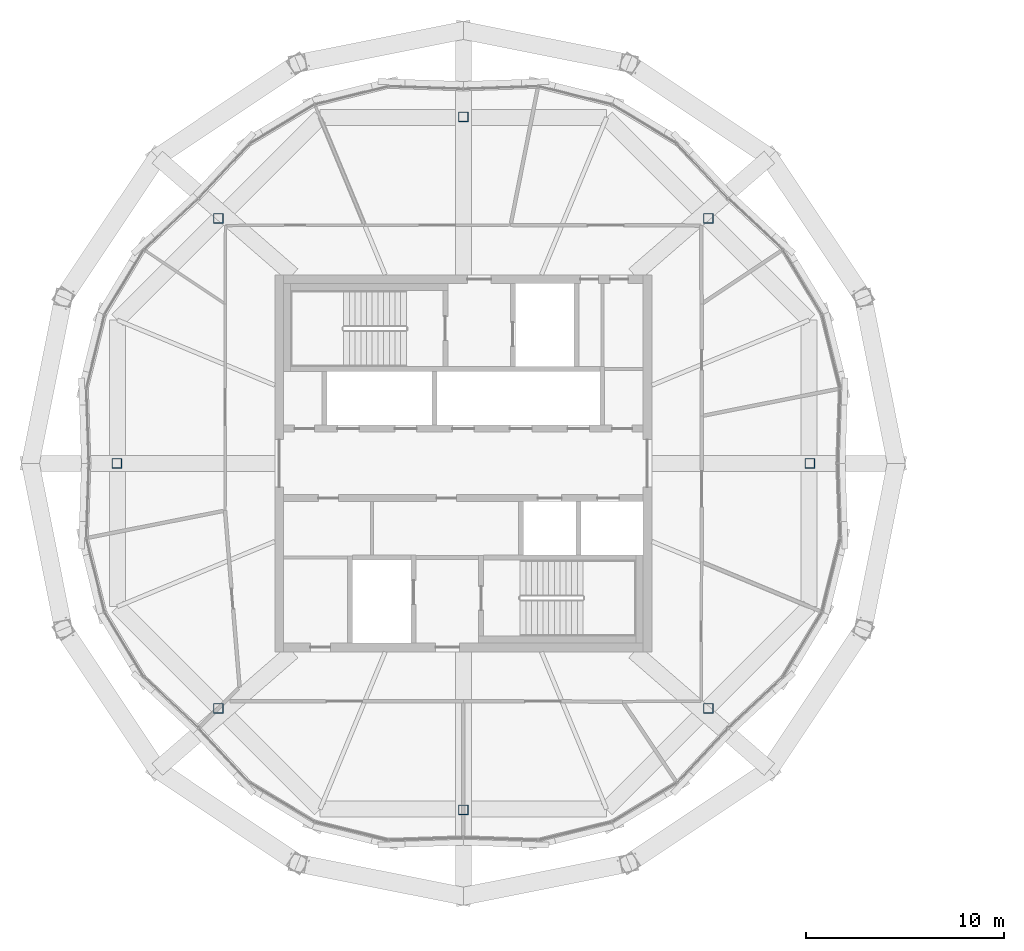
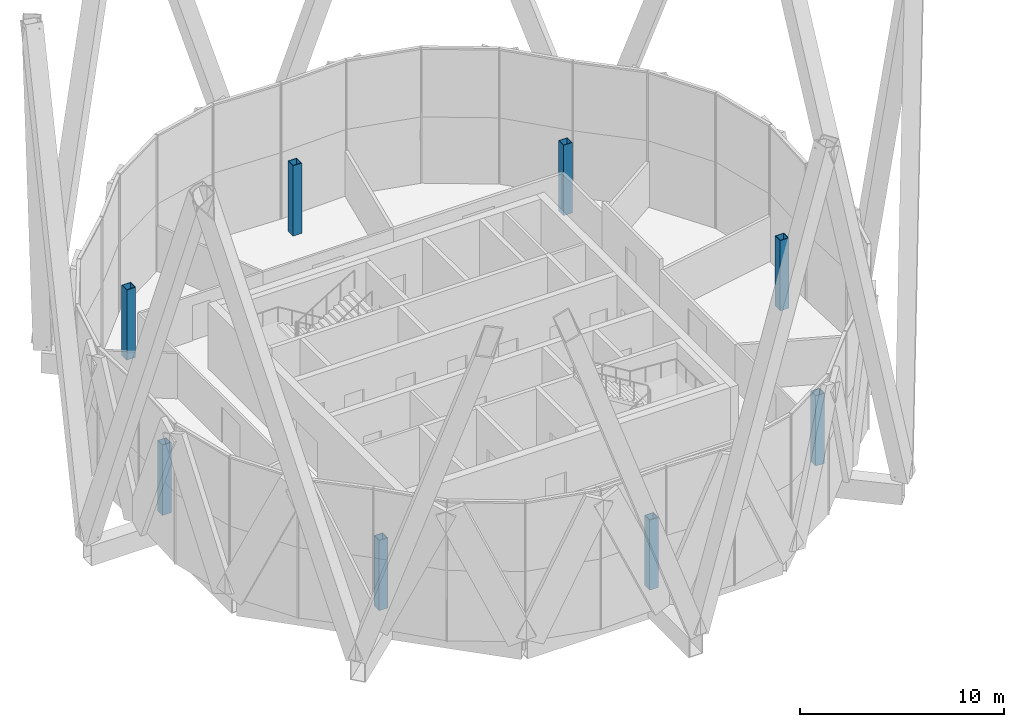
# One storey, part 1 of 38: 8 columns.
"""IFC4 building model written with IfcOpenShell, lengths in metres."""

import ifcopenshell
import ifcopenshell.guid

model = None  # the IFC model being written
_history = None  # IfcOwnerHistory: only IFC2X3 demands one
_inside = {}  # id of a spatial element -> (the spatial element, [elements in it])
_under = {}  # id of a project, library or spatial element -> (it, [spatial elements below it])
_declared = {}  # id of a project -> (the project, [libraries it declares])
_typed = {}  # id of a type object -> (the type object, [elements of that type])
_made_of = {}  # id of a material, layer set ... -> (it, [elements and type objects made of it])


def new_model(schema):
    """Start an empty IFC model of exactly this schema.

    Asked for "IFC4X3", IfcOpenShell would pick the latest addendum, in which some entities
    have other attributes; the version numbers below select the first issue.
    IFC2X3 requires an IfcOwnerHistory on every rooted entity: one is made here for all.
    """
    global model, _history
    if schema == "IFC4X3":
        model = ifcopenshell.file(schema_version=(4, 3, 0, 0))
    else:
        model = ifcopenshell.file(schema=schema)
    _inside.clear()
    _under.clear()
    _declared.clear()
    _typed.clear()
    _made_of.clear()
    _history = None
    if model.schema == "IFC2X3":
        org = make("IfcOrganization", Name="unknown")
        user = make(
            "IfcPersonAndOrganization",
            ThePerson=make("IfcPerson", FamilyName="unknown"),
            TheOrganization=org,
        )
        app = make(
            "IfcApplication",
            ApplicationDeveloper=org,
            Version="unknown",
            ApplicationFullName="unknown",
            ApplicationIdentifier="unknown",
        )
        _history = make(
            "IfcOwnerHistory",
            OwningUser=user,
            OwningApplication=app,
            ChangeAction="ADDED",
            CreationDate=0,
        )
    return model


def make(cls, **values):
    """One entity of the class cls with the attributes given. An attribute that is None is left unset."""
    return model.create_entity(
        cls, **{name: value for name, value in values.items() if value is not None}
    )


def rooted(cls, **values):
    """An entity with a GlobalId (a new one), such as an element, a storey or a relation."""
    return make(cls, GlobalId=ifcopenshell.guid.new(), OwnerHistory=_history, **values)


def si_unit(unit_type, name, prefix=None):
    """IfcSIUnit, for example si_unit("LENGTHUNIT", "METRE", prefix="MILLI")."""
    return make("IfcSIUnit", UnitType=unit_type, Prefix=prefix, Name=name)


def assignment(units):
    """IfcUnitAssignment: the units of a project."""
    return None if units is None else make("IfcUnitAssignment", Units=units)


def point(xyz):
    """IfcCartesianPoint."""
    return None if xyz is None else make("IfcCartesianPoint", Coordinates=xyz)


def direction(xyz):
    """IfcDirection."""
    return None if xyz is None else make("IfcDirection", DirectionRatios=xyz)


def frame(location, z_axis=None, x_axis=None):
    """IfcAxis2Placement3D, a coordinate frame: its origin and axes. An axis left out is left unset."""
    return make(
        "IfcAxis2Placement3D",
        Location=point(location),
        Axis=direction(z_axis),
        RefDirection=direction(x_axis),
    )


def frame_2d(location, x_axis=None):
    """IfcAxis2Placement2D, a coordinate frame in the plane: its origin and x axis."""
    return make(
        "IfcAxis2Placement2D", Location=point(location), RefDirection=direction(x_axis)
    )


def origin():
    """The frame at (0, 0, 0) with its axes left unset."""
    return frame((0.0, 0.0, 0.0))


def origin_2d():
    """The frame at (0, 0) in the plane with its x axis left unset."""
    return frame_2d((0.0, 0.0))


def place(relative_to, where):
    """IfcLocalPlacement: puts the frame where relative to a parent placement (None: the world)."""
    return make(
        "IfcLocalPlacement", PlacementRelTo=relative_to, RelativePlacement=where
    )


def context(
    kind, dimensions, precision=None, world=None, true_north=None, identifier=None
):
    """IfcGeometricRepresentationContext, for example the 3D "Model" context."""
    return make(
        "IfcGeometricRepresentationContext",
        ContextIdentifier=identifier,
        ContextType=kind,
        CoordinateSpaceDimension=dimensions,
        Precision=precision,
        WorldCoordinateSystem=world,
        TrueNorth=true_north,
    )


def subcontext(parent, identifier, kind, view, scale=None):
    """IfcGeometricRepresentationSubContext, for example "Body" below "Model"."""
    return make(
        "IfcGeometricRepresentationSubContext",
        ContextIdentifier=identifier,
        ContextType=kind,
        ParentContext=parent,
        TargetScale=scale,
        TargetView=view,
    )


def project(units=None, contexts=None):
    """IfcProject with its units and contexts."""
    return rooted(
        "IfcProject",
        Name="project",
        RepresentationContexts=contexts,
        UnitsInContext=assignment(units),
    )


def spatial(cls, under=None, at=None, **own):
    """A site, building, storey or space (cls), placed at a placement, below another one or the project."""
    s = rooted(cls, ObjectPlacement=at, **own)
    if under is not None:
        _under.setdefault(under.id(), (under, []))[1].append(s)
    return s


def profile(cls, at=None, kind="AREA", **sizes):
    """A parametric profile (cls). Its sizes go by their IFC names, for example OverallWidth=200.0."""
    return make(cls, ProfileType=kind, Position=at, **sizes)


def hollow_rectangle(**sizes):
    """IfcRectangleHollowProfileDef."""
    return profile("IfcRectangleHollowProfileDef", **sizes)


def extrude(swept, where, along, depth):
    """IfcExtrudedAreaSolid: the profile swept, set in the frame where, extruded along a direction by depth."""
    return make(
        "IfcExtrudedAreaSolid",
        SweptArea=swept,
        Position=where,
        ExtrudedDirection=direction(along),
        Depth=depth,
    )


def shape(context_of_items, identifier, shape_type, items):
    """IfcShapeRepresentation: the items that make up one representation, for example the "Body"."""
    return make(
        "IfcShapeRepresentation",
        ContextOfItems=context_of_items,
        RepresentationIdentifier=identifier,
        RepresentationType=shape_type,
        Items=items,
    )


def material(Name=None, Category=None):
    """IfcMaterial."""
    return make("IfcMaterial", Name=Name, Category=Category)


def material_profile(
    of_material, cross_section, Name=None, Category=None, Priority=None
):
    """IfcMaterialProfile: a cross section and its material."""
    return make(
        "IfcMaterialProfile",
        Name=Name,
        Material=of_material,
        Profile=cross_section,
        Priority=Priority,
        Category=Category,
    )


def profile_set(profiles, Name=None, composite=None):
    """IfcMaterialProfileSet."""
    return make(
        "IfcMaterialProfileSet",
        Name=Name,
        MaterialProfiles=profiles,
        CompositeProfile=composite,
    )


def made_of(thing, what):
    """Note that an element or type object is made of a material, layer set ...; save() writes the relation."""
    if what is not None:
        _made_of.setdefault(what.id(), (what, []))[1].append(thing)
    return thing


def type_object(cls, material=None, **own):
    """A type object (cls), such as IfcWallType, which elements share."""
    return made_of(rooted(cls, **own), material)


def element(
    cls,
    number,
    at=None,
    inside=None,
    cuts=None,
    type_object=None,
    material=None,
    context=None,
    identifier="Body",
    shape_type=None,
    held_by="IfcProductDefinitionShape",
    body=None,
    shapes=None,
    **own,
):
    """One element of the class cls, such as IfcWall. Its Tag is "e" and its number.

    at: its placement. inside: the storey or other place that contains it. cuts: it is an
    opening in that element (IfcRelVoidsElement). A single representation is given by context,
    identifier, shape_type and body (its items); several are given by shapes. held_by: the class
    of the entity that holds the representations. save() writes the other relations.
    """
    e = rooted(cls, Tag="e%d" % number, ObjectPlacement=at, **own)
    if body is not None:
        shapes = [shape(context, identifier, shape_type, body)]
    if shapes is not None:
        e.Representation = make(held_by, Representations=shapes)
    if inside is not None:
        _inside.setdefault(inside.id(), (inside, []))[1].append(e)
    if cuts is not None:
        rooted(
            "IfcRelVoidsElement", RelatingBuildingElement=cuts, RelatedOpeningElement=e
        )
    if type_object is not None:
        _typed.setdefault(type_object.id(), (type_object, []))[1].append(e)
    return made_of(e, material)


def aggregate(whole, parts):
    """IfcRelAggregates: a whole, such as a stair, and the parts it consists of."""
    return rooted("IfcRelAggregates", RelatingObject=whole, RelatedObjects=parts)


def save(model, path):
    """Write the relations noted so far, then the file.

    IfcRelAggregates (storeys below a building ...), IfcRelContainedInSpatialStructure (elements
    in a storey), IfcRelDefinesByType, IfcRelAssociatesMaterial and IfcRelDeclares: one each for
    every whole, place, type object, material and project.
    """
    for whole, parts in _under.values():
        aggregate(whole, parts)
    for where, things in _inside.values():
        rooted(
            "IfcRelContainedInSpatialStructure",
            RelatedElements=things,
            RelatingStructure=where,
        )
    for kind, things in _typed.values():
        rooted("IfcRelDefinesByType", RelatedObjects=things, RelatingType=kind)
    for what, things in _made_of.values():
        rooted("IfcRelAssociatesMaterial", RelatedObjects=things, RelatingMaterial=what)
    for by, libraries in _declared.values():
        rooted("IfcRelDeclares", RelatingContext=by, RelatedDefinitions=libraries)
    model.write(path)


model = new_model("IFC4")

# Units and contexts
model_context = context("Model", 3, precision=1e-05, world=origin(), true_north=direction((0.0, 1.0)))
body_context = subcontext(model_context, "Body", "Model", "MODEL_VIEW")
ifc_project = project(units=[si_unit("LENGTHUNIT", "METRE"), si_unit("AREAUNIT", "SQUARE_METRE"), si_unit("VOLUMEUNIT", "CUBIC_METRE"), si_unit("PLANEANGLEUNIT", "RADIAN"), si_unit("MASSUNIT", "GRAM", prefix="KILO")], contexts=[model_context])

# Site, building, storey
site_placement = place(None, origin())
site = spatial("IfcSite", under=ifc_project, at=site_placement, CompositionType="ELEMENT")
building_placement = place(site_placement, origin())
building = spatial("IfcBuilding", under=site, at=building_placement, Name="Ogive Gate Towers", CompositionType="ELEMENT")
storey_placement = place(building_placement, frame((0.0, 0.0, 268.800048828125)))
storey = spatial("IfcBuildingStorey", under=building, at=storey_placement, Name="L63", CompositionType="ELEMENT", Elevation=268.800048828125)

# Columns
ifc_material = material(Name="Steel SM460", Category="steel")
ifc_material_profile = material_profile(ifc_material, hollow_rectangle(XDim=0.5, YDim=0.5, WallThickness=0.030029296875, at=origin_2d()), Name="BX 500x500x30")
ifc_profile_set = profile_set([ifc_material_profile], Name="Steel SM460")
column_type = type_object("IfcColumnType", Name="Perimeter post BX 500x500x30", PredefinedType="COLUMN", material=ifc_profile_set)
for number, where, z_axis, x_axis, name in (
    (1, (-18.544921875, 0.0, 0.0), (0.0, 0.0, 1.0), (1.0, 0.0, 0.0), "T1/L63/SCL001"),
    (2, (-23.657470703125, 12.342529296875, 0.0), (0.0, 0.0, 1.0), (1.0, 0.0, 0.0), "T1/L63/SCL002"),
    (3, (-36.0, 17.455078125, 0.0), (0.0, 0.0, 1.0), (1.0, 0.0, 0.0), "T1/L63/SCL003"),
    (4, (-48.342529296875, 12.342529296875, 0.0), (0.0, 0.0, 1.0), (1.0, 0.0, 0.0), "T1/L63/SCL004"),
    (5, (-53.455078125, 0.0, 0.0), (0.0, 0.0, 1.0), (1.0, 0.0, 0.0), "T1/L63/SCL005"),
    (6, (-48.342529296875, -12.342529296875, 0.0), (0.0, 0.0, 1.0), (1.0, 0.0, 0.0), "T1/L63/SCL006"),
    (7, (-36.0, -17.455078125, 0.0), (0.0, 0.0, 1.0), (1.0, 0.0, 0.0), "T1/L63/SCL007"),
    (8, (-23.657470703125, -12.342529296875, 0.0), (0.0, 0.0, 1.0), (1.0, 0.0, 0.0), "T1/L63/SCL008"),
):
    element("IfcColumn", number, at=place(storey_placement, frame(where, z_axis=z_axis, x_axis=x_axis)), inside=storey, type_object=column_type, Name=name, PredefinedType="COLUMN", context=body_context, shape_type="SweptSolid", body=[
        extrude(hollow_rectangle(XDim=0.5, YDim=0.5, WallThickness=0.030029296875, at=origin_2d()), origin(), (0.0, 0.0, 1.0), 4.199951171875),
    ])

save(model, "model.ifc")
